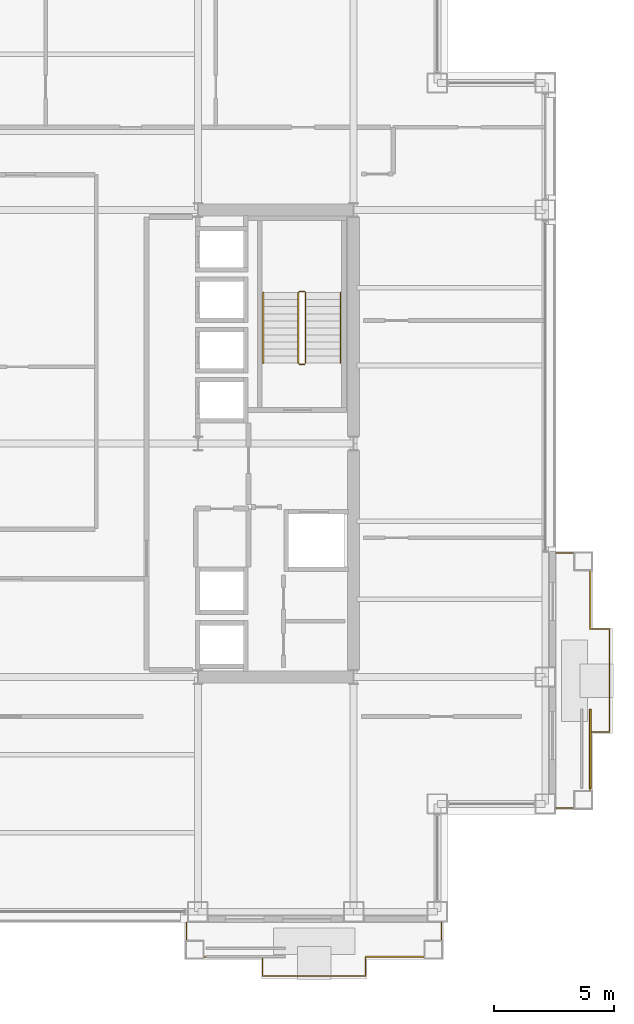
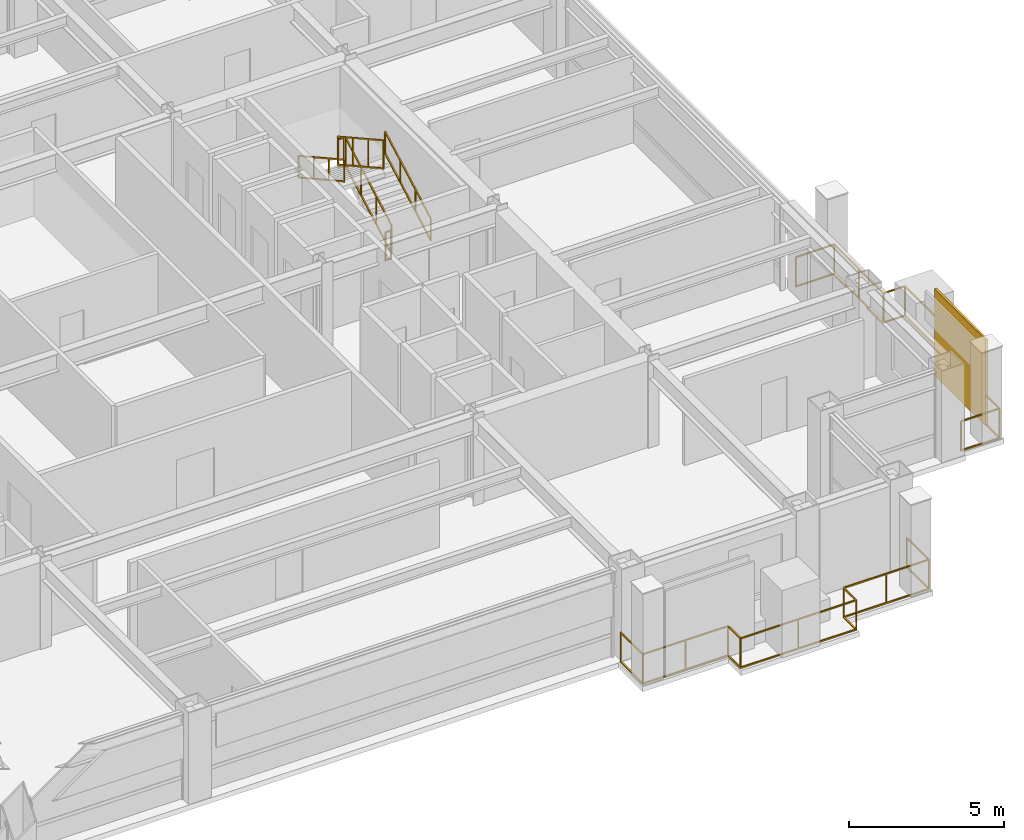
# One storey, part 29 of 30: 8 railings, 1 shading device.
"""IFC4 building model written with IfcOpenShell, lengths in metres."""

from ifc_helpers import new_model, si_unit, direction, frame, origin, origin_2d, place, context, subcontext, project, spatial, rectangle, extrude, material, layer, layer_set, type_object, element, save


model = new_model("IFC4")

# Units and contexts
model_context = context("Model", 3, precision=1e-05, world=origin(), true_north=direction((0.0, 1.0)))
body_context = subcontext(model_context, "Body", "Model", "MODEL_VIEW")
ifc_project = project(units=[si_unit("LENGTHUNIT", "METRE"), si_unit("AREAUNIT", "SQUARE_METRE"), si_unit("VOLUMEUNIT", "CUBIC_METRE"), si_unit("PLANEANGLEUNIT", "RADIAN"), si_unit("MASSUNIT", "GRAM", prefix="KILO")], contexts=[model_context])

# Site, building, storey
site_placement = place(None, origin())
site = spatial("IfcSite", under=ifc_project, at=site_placement, CompositionType="ELEMENT")
building_placement = place(site_placement, origin())
building = spatial("IfcBuilding", under=site, at=building_placement, Name="Brelmoor Portico Tower", CompositionType="ELEMENT")
storey_placement = place(building_placement, frame((0.0, 0.0, 102.60009765625)))
storey = spatial("IfcBuildingStorey", under=building, at=storey_placement, Name="L26", CompositionType="ELEMENT", Elevation=102.60009765625)

# Railings
ifc_material_1 = material(Name="Perforated Pale Champagne Aluminium Fretwork Guard", Category="aluminium")
railing_type_1 = type_object("IfcRailingType", Name="RL-BALUSTRADE-1200", PredefinedType="BALUSTRADE", material=ifc_material_1)
railing_1_placement = place(storey_placement, frame((7.580078125, -20.0, 0.0)))
element("IfcRailing", 1, at=railing_1_placement, inside=storey, type_object=railing_type_1, Name="L26 Tree Balcony Fretwork Balustrade S", PredefinedType="BALUSTRADE", context=body_context, shape_type="SweptSolid", body=[
    extrude(rectangle(XDim=0.048095703125, YDim=0.048095703125, at=origin_2d()), frame((0.0, 0.0, 1.17578125), z_axis=(0.0, -1.0, 0.0), x_axis=(1.0, 0.0, 0.0)), (0.0, 0.0, 1.0), 1.429931640625),
    extrude(rectangle(XDim=0.048095703125, YDim=0.048095703125, at=origin_2d()), frame((0.0, 0.0, 0.02392578125), z_axis=(0.0, -1.0, 0.0), x_axis=(1.0, 0.0, 0.0)), (0.0, 0.0, 1.0), 1.429931640625),
    extrude(rectangle(XDim=0.048095703125, YDim=0.048095703125, at=origin_2d()), frame((0.0, -1.429931640625, 1.17578125), z_axis=(1.0, 0.0, 0.0), x_axis=(0.0, 1.0, 0.0)), (0.0, 0.0, 1.0), 3.169921875),
    extrude(rectangle(XDim=0.048095703125, YDim=0.048095703125, at=origin_2d()), frame((0.0, -1.429931640625, 0.02392578125), z_axis=(1.0, 0.0, 0.0), x_axis=(0.0, 1.0, 0.0)), (0.0, 0.0, 1.0), 3.169921875),
    extrude(rectangle(XDim=0.048095703125, YDim=0.048095703125, at=origin_2d()), frame((3.169921875, -1.429931640625, 1.17578125), z_axis=(0.0, -1.0, 0.0), x_axis=(1.0, 0.0, 0.0)), (0.0, 0.0, 1.0), 0.800048828125),
    extrude(rectangle(XDim=0.048095703125, YDim=0.048095703125, at=origin_2d()), frame((3.169921875, -1.429931640625, 0.02392578125), z_axis=(0.0, -1.0, 0.0), x_axis=(1.0, 0.0, 0.0)), (0.0, 0.0, 1.0), 0.800048828125),
    extrude(rectangle(XDim=0.048095703125, YDim=0.048095703125, at=origin_2d()), frame((3.169921875, -2.22998046875, 1.17578125), z_axis=(1.0, 0.0, 0.0), x_axis=(0.0, 1.0, 0.0)), (0.0, 0.0, 1.0), 4.300048828125),
    extrude(rectangle(XDim=0.048095703125, YDim=0.048095703125, at=origin_2d()), frame((3.169921875, -2.22998046875, 0.02392578125), z_axis=(1.0, 0.0, 0.0), x_axis=(0.0, 1.0, 0.0)), (0.0, 0.0, 1.0), 4.300048828125),
    extrude(rectangle(XDim=0.048095703125, YDim=0.048095703125, at=origin_2d()), frame((7.469970703125, -2.22998046875, 1.17578125), z_axis=(0.0, 1.0, 0.0), x_axis=(-1.0, 0.0, 0.0)), (0.0, 0.0, 1.0), 0.800048828125),
    extrude(rectangle(XDim=0.048095703125, YDim=0.048095703125, at=origin_2d()), frame((7.469970703125, -2.22998046875, 0.02392578125), z_axis=(0.0, 1.0, 0.0), x_axis=(-1.0, 0.0, 0.0)), (0.0, 0.0, 1.0), 0.800048828125),
    extrude(rectangle(XDim=0.048095703125, YDim=0.048095703125, at=origin_2d()), frame((7.469970703125, -1.429931640625, 1.17578125), z_axis=(1.0, 0.0, 0.0), x_axis=(0.0, 1.0, 0.0)), (0.0, 0.0, 1.0), 3.169921875),
    extrude(rectangle(XDim=0.048095703125, YDim=0.048095703125, at=origin_2d()), frame((7.469970703125, -1.429931640625, 0.02392578125), z_axis=(1.0, 0.0, 0.0), x_axis=(0.0, 1.0, 0.0)), (0.0, 0.0, 1.0), 3.169921875),
    extrude(rectangle(XDim=0.048095703125, YDim=0.048095703125, at=origin_2d()), frame((10.639892578125, -1.429931640625, 1.17578125), z_axis=(0.0, 1.0, 0.0), x_axis=(-1.0, 0.0, 0.0)), (0.0, 0.0, 1.0), 1.429931640625),
    extrude(rectangle(XDim=0.048095703125, YDim=0.048095703125, at=origin_2d()), frame((10.639892578125, -1.429931640625, 0.02392578125), z_axis=(0.0, 1.0, 0.0), x_axis=(-1.0, 0.0, 0.0)), (0.0, 0.0, 1.0), 1.429931640625),
    extrude(rectangle(XDim=0.0419921875, YDim=0.0419921875, at=origin_2d()), origin(), (0.0, 0.0, 1.0), 1.15185546875),
    extrude(rectangle(XDim=0.0419921875, YDim=0.0419921875, at=origin_2d()), frame((0.0, -1.429931640625, 0.0)), (0.0, 0.0, 1.0), 1.15185546875),
    extrude(rectangle(XDim=0.0419921875, YDim=0.0419921875, at=origin_2d()), frame((1.5849609375, -1.429931640625, 0.0)), (0.0, 0.0, 1.0), 1.15185546875),
    extrude(rectangle(XDim=0.0419921875, YDim=0.0419921875, at=origin_2d()), frame((3.169921875, -1.429931640625, 0.0)), (0.0, 0.0, 1.0), 1.15185546875),
    extrude(rectangle(XDim=0.0419921875, YDim=0.0419921875, at=origin_2d()), frame((3.169921875, -2.22998046875, 0.0)), (0.0, 0.0, 1.0), 1.15185546875),
    extrude(rectangle(XDim=0.0419921875, YDim=0.0419921875, at=origin_2d()), frame((5.31982421875, -2.22998046875, 0.0)), (0.0, 0.0, 1.0), 1.15185546875),
    extrude(rectangle(XDim=0.0419921875, YDim=0.0419921875, at=origin_2d()), frame((7.469970703125, -2.22998046875, 0.0)), (0.0, 0.0, 1.0), 1.15185546875),
    extrude(rectangle(XDim=0.0419921875, YDim=0.0419921875, at=origin_2d()), frame((7.469970703125, -1.429931640625, 0.0)), (0.0, 0.0, 1.0), 1.15185546875),
    extrude(rectangle(XDim=0.0419921875, YDim=0.0419921875, at=origin_2d()), frame((9.054931640625, -1.429931640625, 0.0)), (0.0, 0.0, 1.0), 1.15185546875),
    extrude(rectangle(XDim=0.0419921875, YDim=0.0419921875, at=origin_2d()), frame((10.639892578125, -1.429931640625, 0.0)), (0.0, 0.0, 1.0), 1.15185546875),
    extrude(rectangle(XDim=0.0419921875, YDim=0.0419921875, at=origin_2d()), frame((10.639892578125, 0.0, 0.0)), (0.0, 0.0, 1.0), 1.15185546875),
])
railing_2_placement = place(storey_placement, frame((23.0, -15.219970703125, 0.0)))
element("IfcRailing", 2, at=railing_2_placement, inside=storey, type_object=railing_type_1, Name="L26 Tree Balcony Fretwork Balustrade E", PredefinedType="BALUSTRADE", context=body_context, shape_type="SweptSolid", body=[
    extrude(rectangle(XDim=0.048095703125, YDim=0.048095703125, at=origin_2d()), frame((0.0, 0.0, 1.17578125), z_axis=(1.0, 0.0, 0.0), x_axis=(0.0, 1.0, 0.0)), (0.0, 0.0, 1.0), 1.429931640625),
    extrude(rectangle(XDim=0.048095703125, YDim=0.048095703125, at=origin_2d()), frame((0.0, 0.0, 0.02392578125), z_axis=(1.0, 0.0, 0.0), x_axis=(0.0, 1.0, 0.0)), (0.0, 0.0, 1.0), 1.429931640625),
    extrude(rectangle(XDim=0.048095703125, YDim=0.048095703125, at=origin_2d()), frame((1.429931640625, 0.0, 1.17578125), z_axis=(0.0, 1.0, 0.0), x_axis=(-1.0, 0.0, 0.0)), (0.0, 0.0, 1.0), 3.169921875),
    extrude(rectangle(XDim=0.048095703125, YDim=0.048095703125, at=origin_2d()), frame((1.429931640625, 0.0, 0.02392578125), z_axis=(0.0, 1.0, 0.0), x_axis=(-1.0, 0.0, 0.0)), (0.0, 0.0, 1.0), 3.169921875),
    extrude(rectangle(XDim=0.048095703125, YDim=0.048095703125, at=origin_2d()), frame((1.429931640625, 3.169921875, 1.17578125), z_axis=(1.0, 0.0, 0.0), x_axis=(0.0, 1.0, 0.0)), (0.0, 0.0, 1.0), 0.800048828125),
    extrude(rectangle(XDim=0.048095703125, YDim=0.048095703125, at=origin_2d()), frame((1.429931640625, 3.169921875, 0.02392578125), z_axis=(1.0, 0.0, 0.0), x_axis=(0.0, 1.0, 0.0)), (0.0, 0.0, 1.0), 0.800048828125),
    extrude(rectangle(XDim=0.048095703125, YDim=0.048095703125, at=origin_2d()), frame((2.22998046875, 3.169921875, 1.17578125), z_axis=(0.0, 1.0, 0.0), x_axis=(-1.0, 0.0, 0.0)), (0.0, 0.0, 1.0), 4.300048828125),
    extrude(rectangle(XDim=0.048095703125, YDim=0.048095703125, at=origin_2d()), frame((2.22998046875, 3.169921875, 0.02392578125), z_axis=(0.0, 1.0, 0.0), x_axis=(-1.0, 0.0, 0.0)), (0.0, 0.0, 1.0), 4.300048828125),
    extrude(rectangle(XDim=0.048095703125, YDim=0.048095703125, at=origin_2d()), frame((2.22998046875, 7.469970703125, 1.17578125), z_axis=(-1.0, 0.0, 0.0), x_axis=(0.0, -1.0, 0.0)), (0.0, 0.0, 1.0), 0.800048828125),
    extrude(rectangle(XDim=0.048095703125, YDim=0.048095703125, at=origin_2d()), frame((2.22998046875, 7.469970703125, 0.02392578125), z_axis=(-1.0, 0.0, 0.0), x_axis=(0.0, -1.0, 0.0)), (0.0, 0.0, 1.0), 0.800048828125),
    extrude(rectangle(XDim=0.048095703125, YDim=0.048095703125, at=origin_2d()), frame((1.429931640625, 7.469970703125, 1.17578125), z_axis=(0.0, 1.0, 0.0), x_axis=(-1.0, 0.0, 0.0)), (0.0, 0.0, 1.0), 3.169921875),
    extrude(rectangle(XDim=0.048095703125, YDim=0.048095703125, at=origin_2d()), frame((1.429931640625, 7.469970703125, 0.02392578125), z_axis=(0.0, 1.0, 0.0), x_axis=(-1.0, 0.0, 0.0)), (0.0, 0.0, 1.0), 3.169921875),
    extrude(rectangle(XDim=0.048095703125, YDim=0.048095703125, at=origin_2d()), frame((1.429931640625, 10.639892578125, 1.17578125), z_axis=(-1.0, 0.0, 0.0), x_axis=(0.0, -1.0, 0.0)), (0.0, 0.0, 1.0), 1.429931640625),
    extrude(rectangle(XDim=0.048095703125, YDim=0.048095703125, at=origin_2d()), frame((1.429931640625, 10.639892578125, 0.02392578125), z_axis=(-1.0, 0.0, 0.0), x_axis=(0.0, -1.0, 0.0)), (0.0, 0.0, 1.0), 1.429931640625),
    extrude(rectangle(XDim=0.0419921875, YDim=0.0419921875, at=origin_2d()), origin(), (0.0, 0.0, 1.0), 1.15185546875),
    extrude(rectangle(XDim=0.0419921875, YDim=0.0419921875, at=origin_2d()), frame((1.429931640625, 0.0, 0.0)), (0.0, 0.0, 1.0), 1.15185546875),
    extrude(rectangle(XDim=0.0419921875, YDim=0.0419921875, at=origin_2d()), frame((1.429931640625, 1.5849609375, 0.0)), (0.0, 0.0, 1.0), 1.15185546875),
    extrude(rectangle(XDim=0.0419921875, YDim=0.0419921875, at=origin_2d()), frame((1.429931640625, 3.169921875, 0.0)), (0.0, 0.0, 1.0), 1.15185546875),
    extrude(rectangle(XDim=0.0419921875, YDim=0.0419921875, at=origin_2d()), frame((2.22998046875, 3.169921875, 0.0)), (0.0, 0.0, 1.0), 1.15185546875),
    extrude(rectangle(XDim=0.0419921875, YDim=0.0419921875, at=origin_2d()), frame((2.22998046875, 5.31982421875, 0.0)), (0.0, 0.0, 1.0), 1.15185546875),
    extrude(rectangle(XDim=0.0419921875, YDim=0.0419921875, at=origin_2d()), frame((2.22998046875, 7.469970703125, 0.0)), (0.0, 0.0, 1.0), 1.15185546875),
    extrude(rectangle(XDim=0.0419921875, YDim=0.0419921875, at=origin_2d()), frame((1.429931640625, 7.469970703125, 0.0)), (0.0, 0.0, 1.0), 1.15185546875),
    extrude(rectangle(XDim=0.0419921875, YDim=0.0419921875, at=origin_2d()), frame((1.429931640625, 9.054931640625, 0.0)), (0.0, 0.0, 1.0), 1.15185546875),
    extrude(rectangle(XDim=0.0419921875, YDim=0.0419921875, at=origin_2d()), frame((1.429931640625, 10.639892578125, 0.0)), (0.0, 0.0, 1.0), 1.15185546875),
    extrude(rectangle(XDim=0.0419921875, YDim=0.0419921875, at=origin_2d()), frame((0.0, 10.639892578125, 0.0)), (0.0, 0.0, 1.0), 1.15185546875),
])
ifc_material_2 = material(Name="Painted Tubular Steel Q235B", Category="steel")
railing_type_2 = type_object("IfcRailingType", Name="RL-STAIR-GUARD", PredefinedType="GUARDRAIL", material=ifc_material_2)
railing_3_placement = place(storey_placement, frame((12.5400390625, 3.35009765625, 0.16357421875)))
element("IfcRailing", 3, at=railing_3_placement, inside=storey, type_object=railing_type_2, Name="L26 ST-E stair guard 1", PredefinedType="GUARDRAIL", context=body_context, shape_type="SweptSolid", body=[
    extrude(rectangle(XDim=0.048095703125, YDim=0.048095703125, at=origin_2d()), frame((0.0, 0.0, 1.1259765625), z_axis=(0.0, 0.87448821551, 0.485046761595), x_axis=(-1.0, 0.0, 0.0)), (0.0, 0.0, 1.0), 3.373291015625),
    extrude(rectangle(XDim=0.048095703125, YDim=0.048095703125, at=origin_2d()), frame((0.0, 0.0, 0.02392578125), z_axis=(0.0, 0.87448821551, 0.485046761595), x_axis=(-1.0, 0.0, 0.0)), (0.0, 0.0, 1.0), 3.373291015625),
    extrude(rectangle(XDim=0.0419921875, YDim=0.0419921875, at=origin_2d()), origin(), (0.0, 0.0, 1.0), 1.101806640625),
    extrude(rectangle(XDim=0.0419921875, YDim=0.0419921875, at=origin_2d()), frame((0.0, 0.9833984375, 0.54541015625)), (0.0, 0.0, 1.0), 1.101806640625),
    extrude(rectangle(XDim=0.0419921875, YDim=0.0419921875, at=origin_2d()), frame((0.0, 1.966552734375, 1.0908203125)), (0.0, 0.0, 1.0), 1.101806640625),
    extrude(rectangle(XDim=0.0419921875, YDim=0.0419921875, at=origin_2d()), frame((0.0, 2.949951171875, 1.63623046875)), (0.0, 0.0, 1.0), 1.101806640625),
])
railing_4_placement = place(storey_placement, frame((12.489990234375, 6.35009765625, 1.7998046875)))
element("IfcRailing", 4, at=railing_4_placement, inside=storey, type_object=railing_type_2, Name="L26 ST-E stair guard 2", PredefinedType="GUARDRAIL", context=body_context, shape_type="SweptSolid", body=[
    extrude(rectangle(XDim=0.048095703125, YDim=0.048095703125, at=origin_2d()), frame((0.0, 0.0, 1.1259765625), z_axis=(-1.0, 0.0, 0.0), x_axis=(0.0, -1.0, 0.0)), (0.0, 0.0, 1.0), 0.199951171875),
    extrude(rectangle(XDim=0.048095703125, YDim=0.048095703125, at=origin_2d()), frame((0.0, 0.0, 0.02392578125), z_axis=(-1.0, 0.0, 0.0), x_axis=(0.0, -1.0, 0.0)), (0.0, 0.0, 1.0), 0.199951171875),
    extrude(rectangle(XDim=0.0419921875, YDim=0.0419921875, at=origin_2d()), origin(), (0.0, 0.0, 1.0), 1.101806640625),
    extrude(rectangle(XDim=0.0419921875, YDim=0.0419921875, at=origin_2d()), frame((-0.199951171875, 0.0, 0.0)), (0.0, 0.0, 1.0), 1.101806640625),
])
railing_5_placement = place(storey_placement, frame((12.239990234375, 6.300048828125, 1.963623046875)))
element("IfcRailing", 5, at=railing_5_placement, inside=storey, type_object=railing_type_2, Name="L26 ST-E stair guard 3", PredefinedType="GUARDRAIL", context=body_context, shape_type="SweptSolid", body=[
    extrude(rectangle(XDim=0.048095703125, YDim=0.048095703125, at=origin_2d()), frame((0.0, 0.0, 1.1259765625), z_axis=(0.0, -0.87448821551, 0.485046761595), x_axis=(1.0, 0.0, 0.0)), (0.0, 0.0, 1.0), 3.373291015625),
    extrude(rectangle(XDim=0.048095703125, YDim=0.048095703125, at=origin_2d()), frame((0.0, 0.0, 0.02392578125), z_axis=(0.0, -0.87448821551, 0.485046761595), x_axis=(1.0, 0.0, 0.0)), (0.0, 0.0, 1.0), 3.373291015625),
    extrude(rectangle(XDim=0.0419921875, YDim=0.0419921875, at=origin_2d()), origin(), (0.0, 0.0, 1.0), 1.101806640625),
    extrude(rectangle(XDim=0.0419921875, YDim=0.0419921875, at=origin_2d()), frame((0.0, -0.9833984375, 0.54541015625)), (0.0, 0.0, 1.0), 1.101806640625),
    extrude(rectangle(XDim=0.0419921875, YDim=0.0419921875, at=origin_2d()), frame((0.0, -1.966552734375, 1.0908203125)), (0.0, 0.0, 1.0), 1.101806640625),
    extrude(rectangle(XDim=0.0419921875, YDim=0.0419921875, at=origin_2d()), frame((0.0, -2.949951171875, 1.63623046875)), (0.0, 0.0, 1.0), 1.101806640625),
])
railing_6_placement = place(storey_placement, frame((12.489990234375, 3.300048828125, 0.0)))
element("IfcRailing", 6, at=railing_6_placement, inside=storey, type_object=railing_type_2, Name="L26 ST-E stair guard 4", PredefinedType="GUARDRAIL", context=body_context, shape_type="SweptSolid", body=[
    extrude(rectangle(XDim=0.048095703125, YDim=0.048095703125, at=origin_2d()), frame((0.0, 0.0, 1.1259765625), z_axis=(-1.0, 0.0, 0.0), x_axis=(0.0, -1.0, 0.0)), (0.0, 0.0, 1.0), 0.199951171875),
    extrude(rectangle(XDim=0.048095703125, YDim=0.048095703125, at=origin_2d()), frame((0.0, 0.0, 0.02392578125), z_axis=(-1.0, 0.0, 0.0), x_axis=(0.0, -1.0, 0.0)), (0.0, 0.0, 1.0), 0.199951171875),
    extrude(rectangle(XDim=0.0419921875, YDim=0.0419921875, at=origin_2d()), origin(), (0.0, 0.0, 1.0), 1.101806640625),
    extrude(rectangle(XDim=0.0419921875, YDim=0.0419921875, at=origin_2d()), frame((-0.199951171875, 0.0, 0.0)), (0.0, 0.0, 1.0), 1.101806640625),
])
ifc_material_3 = material(Name="Brushed Stainless Steel 304", Category="steel")
railing_type_3 = type_object("IfcRailingType", Name="RL-STAIR-HANDRAIL", PredefinedType="HANDRAIL", material=ifc_material_3)
railing_7_placement = place(storey_placement, frame((14.0, 3.35009765625, 0.16357421875)))
element("IfcRailing", 7, at=railing_7_placement, inside=storey, type_object=railing_type_3, Name="L26 ST-E stair handrail 1", PredefinedType="HANDRAIL", context=body_context, shape_type="SweptSolid", body=[
    extrude(rectangle(XDim=0.048095703125, YDim=0.048095703125, at=origin_2d()), frame((0.0, 0.0, 0.8759765625), z_axis=(0.0, 0.87448821551, 0.485046761595), x_axis=(-1.0, 0.0, 0.0)), (0.0, 0.0, 1.0), 3.373291015625),
    extrude(rectangle(XDim=0.048095703125, YDim=0.048095703125, at=origin_2d()), frame((0.0, 0.0, 0.02392578125), z_axis=(0.0, 0.87448821551, 0.485046761595), x_axis=(-1.0, 0.0, 0.0)), (0.0, 0.0, 1.0), 3.373291015625),
    extrude(rectangle(XDim=0.0419921875, YDim=0.0419921875, at=origin_2d()), origin(), (0.0, 0.0, 1.0), 0.851806640625),
    extrude(rectangle(XDim=0.0419921875, YDim=0.0419921875, at=origin_2d()), frame((0.0, 0.9833984375, 0.54541015625)), (0.0, 0.0, 1.0), 0.851806640625),
    extrude(rectangle(XDim=0.0419921875, YDim=0.0419921875, at=origin_2d()), frame((0.0, 1.966552734375, 1.0908203125)), (0.0, 0.0, 1.0), 0.851806640625),
    extrude(rectangle(XDim=0.0419921875, YDim=0.0419921875, at=origin_2d()), frame((0.0, 2.949951171875, 1.63623046875)), (0.0, 0.0, 1.0), 0.851806640625),
])
railing_8_placement = place(storey_placement, frame((10.780029296875, 6.300048828125, 1.963623046875)))
element("IfcRailing", 8, at=railing_8_placement, inside=storey, type_object=railing_type_3, Name="L26 ST-E stair handrail 2", PredefinedType="HANDRAIL", context=body_context, shape_type="SweptSolid", body=[
    extrude(rectangle(XDim=0.048095703125, YDim=0.048095703125, at=origin_2d()), frame((0.0, 0.0, 0.8759765625), z_axis=(0.0, -0.87448821551, 0.485046761595), x_axis=(1.0, 0.0, 0.0)), (0.0, 0.0, 1.0), 3.373291015625),
    extrude(rectangle(XDim=0.048095703125, YDim=0.048095703125, at=origin_2d()), frame((0.0, 0.0, 0.02392578125), z_axis=(0.0, -0.87448821551, 0.485046761595), x_axis=(1.0, 0.0, 0.0)), (0.0, 0.0, 1.0), 3.373291015625),
    extrude(rectangle(XDim=0.0419921875, YDim=0.0419921875, at=origin_2d()), origin(), (0.0, 0.0, 1.0), 0.851806640625),
    extrude(rectangle(XDim=0.0419921875, YDim=0.0419921875, at=origin_2d()), frame((0.0, -0.9833984375, 0.54541015625)), (0.0, 0.0, 1.0), 0.851806640625),
    extrude(rectangle(XDim=0.0419921875, YDim=0.0419921875, at=origin_2d()), frame((0.0, -1.966552734375, 1.0908203125)), (0.0, 0.0, 1.0), 0.851806640625),
    extrude(rectangle(XDim=0.0419921875, YDim=0.0419921875, at=origin_2d()), frame((0.0, -2.949951171875, 1.63623046875)), (0.0, 0.0, 1.0), 0.851806640625),
])

# Shading device
ifc_material_4 = material(Name="Powder-Coated Aluminium Shuttered Jalousie", Category="aluminium")
ifc_layer = layer(ifc_material_4, 0.080078125)
ifc_layer_set = layer_set([ifc_layer], Name="Powder-Coated Aluminium Shuttered Jalousie")
shading_device_type = type_object("IfcShadingDeviceType", Name="SD-JALOUSIE-LOGGIA", PredefinedType="JALOUSIE", material=ifc_layer_set)
shading_device_placement = place(storey_placement, frame((24.429931640625, -12.75, 0.0), z_axis=(0.0, 0.0, 1.0), x_axis=(0.0, 1.0, 0.0)))
element("IfcShadingDevice", 9, at=shading_device_placement, inside=storey, type_object=shading_device_type, Name="L26 Loggia Shuttered Jalousie E", PredefinedType="JALOUSIE", context=body_context, shape_type="SweptSolid", body=[
    extrude(rectangle(XDim=3.300048828125, YDim=0.080078125, at=origin_2d()), origin(), (0.0, 0.0, 1.0), 3.39990234375),
])

save(model, "model.ifc")
